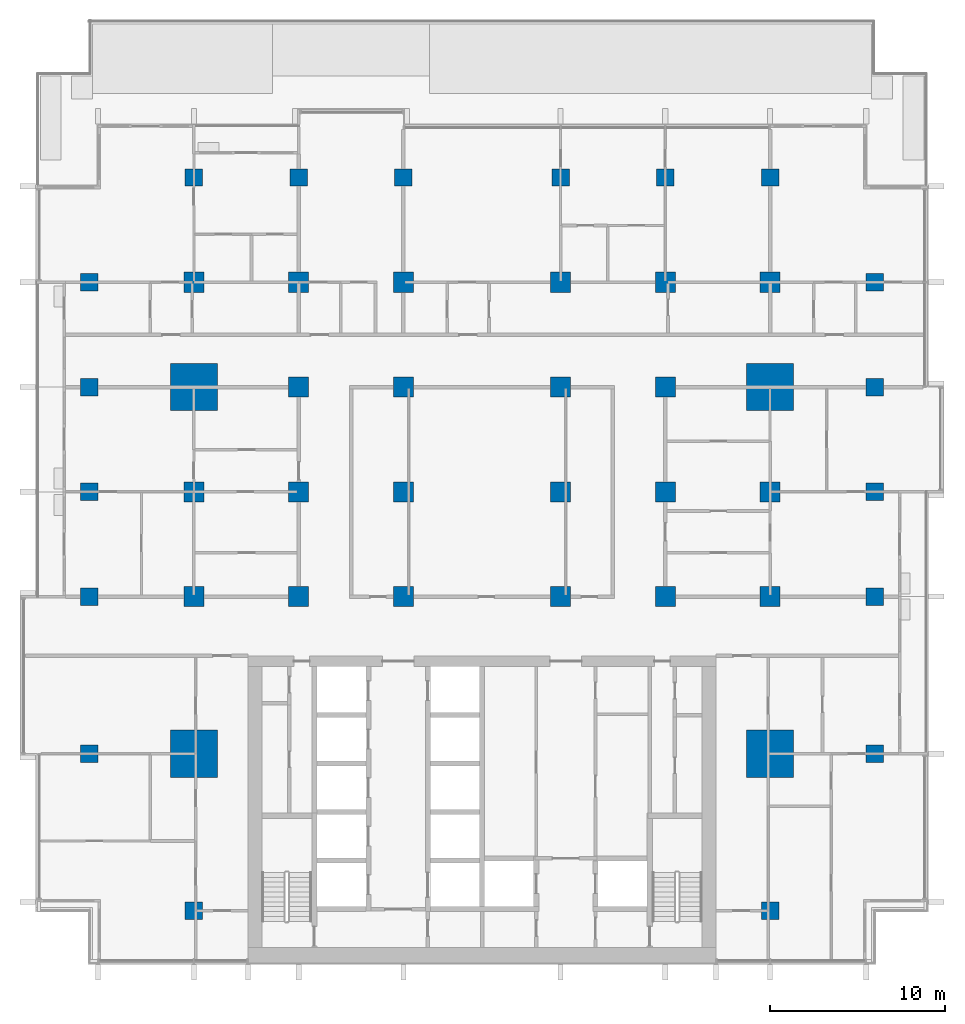
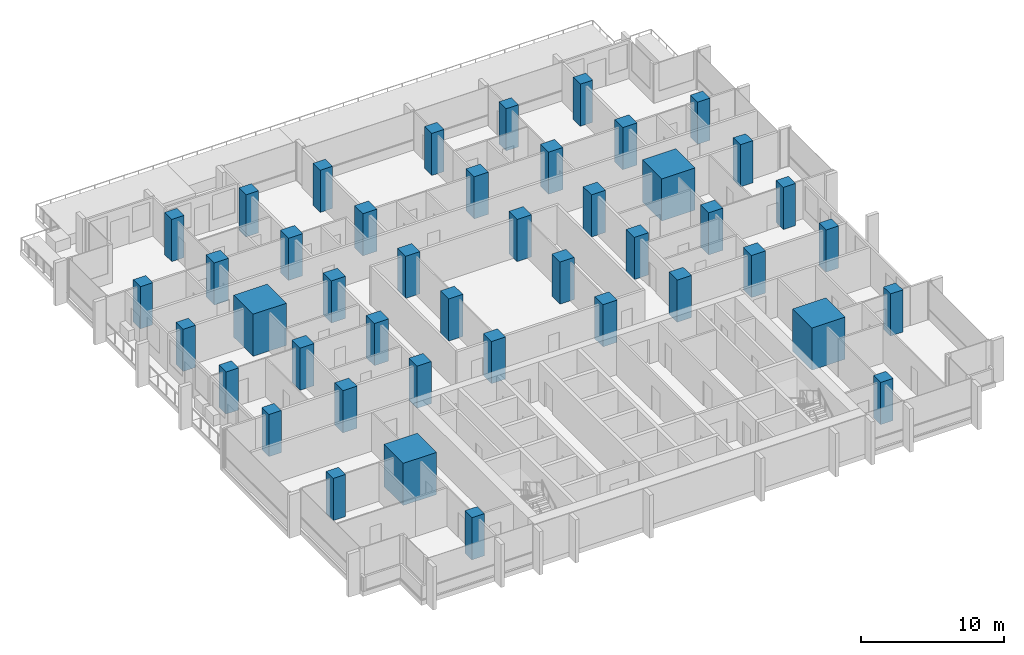
# One storey, part 1 of 19: 44 columns.
"""IFC4 building model written with IfcOpenShell, lengths in metres."""

from ifc_helpers import new_model, si_unit, direction, frame, origin, origin_2d, place, context, subcontext, project, spatial, rectangle, extrude, material, material_profile, profile_set, type_object, element, save


model = new_model("IFC4")

# Units and contexts
model_context = context("Model", 3, precision=1e-05, world=origin(), true_north=direction((0.0, 1.0)))
body_context = subcontext(model_context, "Body", "Model", "MODEL_VIEW")
ifc_project = project(units=[si_unit("LENGTHUNIT", "METRE"), si_unit("AREAUNIT", "SQUARE_METRE"), si_unit("VOLUMEUNIT", "CUBIC_METRE"), si_unit("PLANEANGLEUNIT", "RADIAN"), si_unit("MASSUNIT", "GRAM", prefix="KILO")], contexts=[model_context])

# Site, building, storey
site_placement = place(None, origin())
site = spatial("IfcSite", under=ifc_project, at=site_placement, CompositionType="ELEMENT")
building_placement = place(site_placement, origin())
building = spatial("IfcBuilding", under=site, at=building_placement, Name="Finial Court Residences", CompositionType="ELEMENT")
storey_placement = place(building_placement, frame((0.0, 0.0, 81.10009765625)))
storey = spatial("IfcBuildingStorey", under=building, at=storey_placement, Name="L19", CompositionType="ELEMENT", Elevation=81.10009765625)

# Columns
ifc_material = material(Name="Concrete C70/85", Category="concrete")
ifc_material_profile_1 = material_profile(ifc_material, rectangle(XDim=1.14990234375, YDim=1.14990234375, at=origin_2d()), Name="1150x1150")
ifc_profile_set_1 = profile_set([ifc_material_profile_1], Name="Concrete C70/85")
column_type_1 = type_object("IfcColumnType", Name="Interior column 1150x1150 Concrete C70/85", PredefinedType="COLUMN", material=ifc_profile_set_1)
for number, where, z_axis, x_axis, name in (
    (1, (-16.5, -4.5, 0.0), (0.0, 0.0, 1.0), (1.0, 0.0, 0.0), "S:COL:L19:C4"),
    (2, (-16.5, 1.5, 0.0), (0.0, 0.0, 1.0), (1.0, 0.0, 0.0), "S:COL:L19:C5"),
    (3, (-16.5, 13.5, 0.0), (0.0, 0.0, 1.0), (1.0, 0.0, 0.0), "S:COL:L19:C7"),
    (4, (-10.5, -4.5, 0.0), (0.0, 0.0, 1.0), (1.0, 0.0, 0.0), "S:COL:L19:D4"),
    (5, (-10.5, 1.5, 0.0), (0.0, 0.0, 1.0), (1.0, 0.0, 0.0), "S:COL:L19:D5"),
    (6, (-10.5, 7.5, 0.0), (0.0, 0.0, 1.0), (1.0, 0.0, 0.0), "S:COL:L19:D6"),
    (7, (-10.5, 13.5, 0.0), (0.0, 0.0, 1.0), (1.0, 0.0, 0.0), "S:COL:L19:D7"),
    (8, (-4.5, -4.5, 0.0), (0.0, 0.0, 1.0), (1.0, 0.0, 0.0), "S:COL:L19:E4"),
    (9, (-4.5, 1.5, 0.0), (0.0, 0.0, 1.0), (1.0, 0.0, 0.0), "S:COL:L19:E5"),
    (10, (-4.5, 7.5, 0.0), (0.0, 0.0, 1.0), (1.0, 0.0, 0.0), "S:COL:L19:E6"),
    (11, (-4.5, 13.5, 0.0), (0.0, 0.0, 1.0), (1.0, 0.0, 0.0), "S:COL:L19:E7"),
    (12, (4.5, -4.5, 0.0), (0.0, 0.0, 1.0), (1.0, 0.0, 0.0), "S:COL:L19:F4"),
    (13, (4.5, 1.5, 0.0), (0.0, 0.0, 1.0), (1.0, 0.0, 0.0), "S:COL:L19:F5"),
    (14, (4.5, 7.5, 0.0), (0.0, 0.0, 1.0), (1.0, 0.0, 0.0), "S:COL:L19:F6"),
    (15, (4.5, 13.5, 0.0), (0.0, 0.0, 1.0), (1.0, 0.0, 0.0), "S:COL:L19:F7"),
    (16, (10.5, -4.5, 0.0), (0.0, 0.0, 1.0), (1.0, 0.0, 0.0), "S:COL:L19:G4"),
    (17, (10.5, 1.5, 0.0), (0.0, 0.0, 1.0), (1.0, 0.0, 0.0), "S:COL:L19:G5"),
    (18, (10.5, 7.5, 0.0), (0.0, 0.0, 1.0), (1.0, 0.0, 0.0), "S:COL:L19:G6"),
    (19, (10.5, 13.5, 0.0), (0.0, 0.0, 1.0), (1.0, 0.0, 0.0), "S:COL:L19:G7"),
    (20, (16.5, -4.5, 0.0), (0.0, 0.0, 1.0), (1.0, 0.0, 0.0), "S:COL:L19:H4"),
    (21, (16.5, 1.5, 0.0), (0.0, 0.0, 1.0), (1.0, 0.0, 0.0), "S:COL:L19:H5"),
    (22, (16.5, 13.5, 0.0), (0.0, 0.0, 1.0), (1.0, 0.0, 0.0), "S:COL:L19:H7"),
):
    element("IfcColumn", number, at=place(storey_placement, frame(where, z_axis=z_axis, x_axis=x_axis)), inside=storey, type_object=column_type_1, Name=name, PredefinedType="COLUMN", context=body_context, shape_type="SweptSolid", body=[
        extrude(rectangle(XDim=1.14990234375, YDim=1.14990234375, at=origin_2d()), origin(), (0.0, 0.0, 1.0), 3.599853515625),
    ])
ifc_material_profile_2 = material_profile(ifc_material, rectangle(XDim=2.699951171875, YDim=2.699951171875, at=origin_2d()), Name="2700x2700")
ifc_profile_set_2 = profile_set([ifc_material_profile_2], Name="Concrete C70/85")
column_type_2 = type_object("IfcColumnType", Name="Mega column 2700x2700 Concrete C70/85", PredefinedType="COLUMN", material=ifc_profile_set_2)
for number, where, z_axis, x_axis, name in (
    (23, (-16.5, -13.5, 0.0), (0.0, 0.0, 1.0), (1.0, 0.0, 0.0), "S:COL:L19:C3"),
    (24, (-16.5, 7.5, 0.0), (0.0, 0.0, 1.0), (1.0, 0.0, 0.0), "S:COL:L19:C6"),
    (25, (16.5, -13.5, 0.0), (0.0, 0.0, 1.0), (1.0, 0.0, 0.0), "S:COL:L19:H3"),
    (26, (16.5, 7.5, 0.0), (0.0, 0.0, 1.0), (1.0, 0.0, 0.0), "S:COL:L19:H6"),
):
    element("IfcColumn", number, at=place(storey_placement, frame(where, z_axis=z_axis, x_axis=x_axis)), inside=storey, type_object=column_type_2, Name=name, PredefinedType="COLUMN", context=body_context, shape_type="SweptSolid", body=[
        extrude(rectangle(XDim=2.699951171875, YDim=2.699951171875, at=origin_2d()), origin(), (0.0, 0.0, 1.0), 3.599853515625),
    ])
ifc_material_profile_3 = material_profile(ifc_material, rectangle(XDim=1.0, YDim=1.0, at=origin_2d()), Name="1000x1000")
ifc_profile_set_3 = profile_set([ifc_material_profile_3], Name="Concrete C70/85")
column_type_3 = type_object("IfcColumnType", Name="Perimeter column 1000x1000 Concrete C70/85", PredefinedType="COLUMN", material=ifc_profile_set_3)
for number, where, z_axis, x_axis, name in (
    (27, (-22.5, -13.5, 0.0), (0.0, 0.0, 1.0), (1.0, 0.0, 0.0), "S:COL:L19:B3"),
    (28, (-22.5, -4.5, 0.0), (0.0, 0.0, 1.0), (1.0, 0.0, 0.0), "S:COL:L19:B4"),
    (29, (-22.5, 1.5, 0.0), (0.0, 0.0, 1.0), (1.0, 0.0, 0.0), "S:COL:L19:B5"),
    (30, (-22.5, 7.5, 0.0), (0.0, 0.0, 1.0), (1.0, 0.0, 0.0), "S:COL:L19:B6"),
    (31, (-22.5, 13.5, 0.0), (0.0, 0.0, 1.0), (1.0, 0.0, 0.0), "S:COL:L19:B7"),
    (32, (-16.5, -22.5, 0.0), (0.0, 0.0, 1.0), (1.0, 0.0, 0.0), "S:COL:L19:C2"),
    (33, (-16.5, 19.5, 0.0), (0.0, 0.0, 1.0), (1.0, 0.0, 0.0), "S:COL:L19:C8"),
    (34, (-10.5, 19.5, 0.0), (0.0, 0.0, 1.0), (1.0, 0.0, 0.0), "S:COL:L19:D8"),
    (35, (-4.5, 19.5, 0.0), (0.0, 0.0, 1.0), (1.0, 0.0, 0.0), "S:COL:L19:E8"),
    (36, (4.5, 19.5, 0.0), (0.0, 0.0, 1.0), (1.0, 0.0, 0.0), "S:COL:L19:F8"),
    (37, (10.5, 19.5, 0.0), (0.0, 0.0, 1.0), (1.0, 0.0, 0.0), "S:COL:L19:G8"),
    (38, (16.5, -22.5, 0.0), (0.0, 0.0, 1.0), (1.0, 0.0, 0.0), "S:COL:L19:H2"),
    (39, (16.5, 19.5, 0.0), (0.0, 0.0, 1.0), (1.0, 0.0, 0.0), "S:COL:L19:H8"),
    (40, (22.5, -13.5, 0.0), (0.0, 0.0, 1.0), (1.0, 0.0, 0.0), "S:COL:L19:I3"),
    (41, (22.5, -4.5, 0.0), (0.0, 0.0, 1.0), (1.0, 0.0, 0.0), "S:COL:L19:I4"),
    (42, (22.5, 1.5, 0.0), (0.0, 0.0, 1.0), (1.0, 0.0, 0.0), "S:COL:L19:I5"),
    (43, (22.5, 7.5, 0.0), (0.0, 0.0, 1.0), (1.0, 0.0, 0.0), "S:COL:L19:I6"),
    (44, (22.5, 13.5, 0.0), (0.0, 0.0, 1.0), (1.0, 0.0, 0.0), "S:COL:L19:I7"),
):
    element("IfcColumn", number, at=place(storey_placement, frame(where, z_axis=z_axis, x_axis=x_axis)), inside=storey, type_object=column_type_3, Name=name, PredefinedType="COLUMN", context=body_context, shape_type="SweptSolid", body=[
        extrude(rectangle(XDim=1.0, YDim=1.0, at=origin_2d()), origin(), (0.0, 0.0, 1.0), 3.599853515625),
    ])

save(model, "model.ifc")
